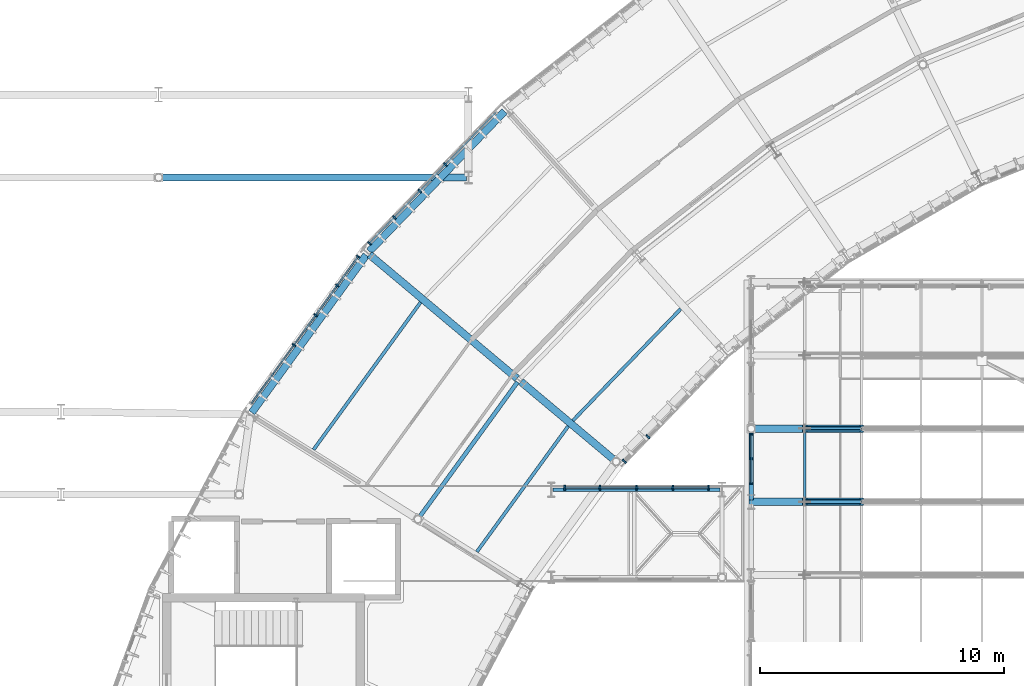
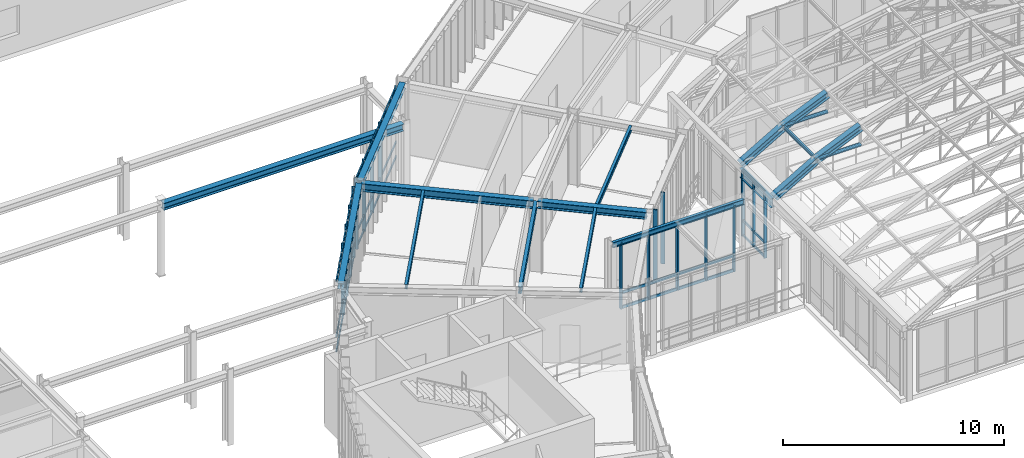
# One storey, part 25 of 148: 32 members, 16 beams, 5 elements without a shape of their own.
"""IFC4 building model written with IfcOpenShell, lengths in metres."""

from ifc_helpers import new_model, si_unit, direction, frame, origin, origin_2d, place, context, subcontext, project, spatial, rectangle, hollow_circle, i_section, extrude, material, layer, layer_set, material_profile, profile_set, type_object, element, aggregate, save


model = new_model("IFC4")

# Units and contexts
model_context = context("Model", 3, precision=1e-05, world=origin(), true_north=direction((0.0, 1.0)))
body_context = subcontext(model_context, "Body", "Model", "MODEL_VIEW")
ifc_project = project(units=[si_unit("LENGTHUNIT", "METRE"), si_unit("AREAUNIT", "SQUARE_METRE"), si_unit("VOLUMEUNIT", "CUBIC_METRE"), si_unit("PLANEANGLEUNIT", "RADIAN"), si_unit("MASSUNIT", "GRAM", prefix="KILO"), si_unit("THERMODYNAMICTEMPERATUREUNIT", "KELVIN"), si_unit("POWERUNIT", "WATT")], contexts=[model_context])

# Site, building, storey
site_placement = place(None, origin())
site = spatial("IfcSite", under=ifc_project, at=site_placement, CompositionType="ELEMENT")
building_placement = place(site_placement, origin())
building = spatial("IfcBuilding", under=site, at=building_placement, Name="Solvatero Civic Police Headquarters", CompositionType="ELEMENT")
storey_placement = place(building_placement, frame((0.0, 0.0, 5.10009765625)))
storey = spatial("IfcBuildingStorey", under=building, at=storey_placement, Name="L01", CompositionType="ELEMENT", Elevation=5.10009765625)

# Beams
ifc_material_1 = material(Name="Steel S355", Category="steel")
ifc_material_profile_1 = material_profile(ifc_material_1, i_section(OverallWidth=0.300048828125, OverallDepth=0.31005859375, WebThickness=0.009033203125, FlangeThickness=0.015380859375, FilletRadius=0.027099609375, at=origin_2d()), Name="HEA 320")
ifc_profile_set_1 = profile_set([ifc_material_profile_1], Name="Steel S355")
beam_type_1 = type_object("IfcBeamType", Name="BM-ST-HEA320", PredefinedType="SPANDREL", material=ifc_profile_set_1)
beam_1_placement = place(storey_placement, frame((54.68603515625, 69.513427734375, 3.824951171875), z_axis=(-0.694657827695, -0.719340324479, 0.0), x_axis=(0.719340324479, -0.694657827695, 0.0)))
element("IfcBeam", 1, at=beam_1_placement, inside=storey, type_object=beam_type_1, Name="Perimeter / radial spandrel beam BM-R2-L01-ARC-COUT-B07", PredefinedType="SPANDREL", context=body_context, shape_type="SweptSolid", body=[
    extrude(i_section(OverallWidth=0.300048828125, OverallDepth=0.31005859375, WebThickness=0.009033203125, FlangeThickness=0.015380859375, FilletRadius=0.027099609375, at=origin_2d()), origin(), (0.0, 0.0, 1.0), 7.982177734375),
])
beam_2_placement = place(storey_placement, frame((49.0126953125, 63.61865234375, 3.824951171875), z_axis=(-0.587775184232, -0.809024309153, 0.0), x_axis=(0.809024309153, -0.587775184232, 0.0)))
element("IfcBeam", 2, at=beam_2_placement, inside=storey, type_object=beam_type_1, Name="Perimeter / radial spandrel beam BM-R2-L01-ARC-COUT-B08", PredefinedType="SPANDREL", context=body_context, shape_type="SweptSolid", body=[
    extrude(i_section(OverallWidth=0.300048828125, OverallDepth=0.31005859375, WebThickness=0.009033203125, FlangeThickness=0.015380859375, FilletRadius=0.027099609375, at=origin_2d()), origin(), (0.0, 0.0, 1.0), 7.982421875),
])
ifc_material_profile_2 = material_profile(ifc_material_1, i_section(OverallWidth=0.300048828125, OverallDepth=0.389892578125, WebThickness=0.010986328125, FlangeThickness=0.01904296875, FilletRadius=0.027099609375, at=origin_2d()), Name="HEA 400")
ifc_profile_set_2 = profile_set([ifc_material_profile_2], Name="Steel S355")
beam_type_2 = type_object("IfcBeamType", Name="BM-ST-HEA400", PredefinedType="BEAM", material=ifc_profile_set_2)
beam_3_placement = place(storey_placement, frame((40.580078125, 66.800048828125, 3.7548828125), z_axis=(1.0, 0.0, 0.0), x_axis=(0.0, 1.0, 0.0)))
element("IfcBeam", 3, at=beam_3_placement, inside=storey, type_object=beam_type_2, Name="Primary girder BM-R2-L01-SB2-S-2", PredefinedType="BEAM", context=body_context, shape_type="SweptSolid", body=[
    extrude(i_section(OverallWidth=0.300048828125, OverallDepth=0.389892578125, WebThickness=0.010986328125, FlangeThickness=0.01904296875, FilletRadius=0.027099609375, at=origin_2d()), origin(), (0.0, 0.0, 1.0), 12.5400390625),
])
beam_4_placement = place(storey_placement, frame((59.183349609375, 55.214599609375, 3.784912109375), z_axis=(-0.766035646312, 0.642798093167, 0.0), x_axis=(-0.642798093167, -0.766035646312, 0.0)))
element("IfcBeam", 4, at=beam_4_placement, inside=storey, type_object=beam_type_2, Name="Primary girder BM-R2-L01-ARC-RAD1-S07", PredefinedType="BEAM", context=body_context, shape_type="SweptSolid", body=[
    extrude(i_section(OverallWidth=0.300048828125, OverallDepth=0.389892578125, WebThickness=0.010986328125, FlangeThickness=0.01904296875, FilletRadius=0.027099609375, at=origin_2d()), origin(), (0.0, 0.0, 1.0), 5.000244140625),
])
ifc_material_profile_3 = material_profile(ifc_material_1, i_section(OverallWidth=0.300048828125, OverallDepth=0.43994140625, WebThickness=0.011474609375, FlangeThickness=0.02099609375, FilletRadius=0.027099609375, at=origin_2d()), Name="HEA 450")
ifc_profile_set_3 = profile_set([ifc_material_profile_3], Name="Steel S355")
beam_type_3 = type_object("IfcBeamType", Name="BM-ST-HEA450", PredefinedType="BEAM", material=ifc_profile_set_3)
beam_5_placement = place(storey_placement, frame((55.199951171875, 58.55712890625, 3.760009765625), z_axis=(-0.766038381489, 0.642794833587, 0.0), x_axis=(-0.642794833587, -0.766038381489, 0.0)))
element("IfcBeam", 5, at=beam_5_placement, inside=storey, type_object=beam_type_3, Name="Primary girder BM-R2-L01-ARC-RAD2-S07", PredefinedType="BEAM", context=body_context, shape_type="SweptSolid", body=[
    extrude(i_section(OverallWidth=0.300048828125, OverallDepth=0.43994140625, WebThickness=0.011474609375, FlangeThickness=0.02099609375, FilletRadius=0.027099609375, at=origin_2d()), origin(), (0.0, 0.0, 1.0), 7.900146484375),
])
ifc_material_profile_4 = material_profile(ifc_material_1, i_section(OverallWidth=0.300048828125, OverallDepth=0.360107421875, WebThickness=0.012451171875, FlangeThickness=0.0224609375, FilletRadius=0.027099609375, at=origin_2d()), Name="HEB 360")
ifc_profile_set_4 = profile_set([ifc_material_profile_4], Name="Steel S355")
beam_type_4 = type_object("IfcBeamType", Name="BM-ST-HEB360", PredefinedType="BEAM", material=ifc_profile_set_4)
beam_6_placement = place(storey_placement, frame((64.800048828125, 53.5, 3.806884765625), z_axis=(0.865485501766, 0.0, 0.500933973926), x_axis=(0.0, 1.0, 0.0)))
element("IfcBeam", 6, at=beam_6_placement, inside=storey, type_object=beam_type_4, Name="VLT2 Tied-Arch Vault Top Chord F5.1", PredefinedType="BEAM", context=body_context, shape_type="SweptSolid", body=[
    extrude(i_section(OverallWidth=0.300048828125, OverallDepth=0.360107421875, WebThickness=0.012451171875, FlangeThickness=0.0224609375, FilletRadius=0.027099609375, at=origin_2d()), origin(), (0.0, 0.0, 1.0), 2.540283203125),
])
beam_7_placement = place(storey_placement, frame((66.99853515625, 53.5, 5.101806640625), z_axis=(0.917917593787, 0.0, 0.396771081377), x_axis=(0.0, 1.0, 0.0)))
element("IfcBeam", 7, at=beam_7_placement, inside=storey, type_object=beam_type_4, Name="VLT2 Tied-Arch Vault Top Chord F5.2", PredefinedType="BEAM", context=body_context, shape_type="SweptSolid", body=[
    extrude(i_section(OverallWidth=0.300048828125, OverallDepth=0.360107421875, WebThickness=0.012451171875, FlangeThickness=0.0224609375, FilletRadius=0.027099609375, at=origin_2d()), origin(), (0.0, 0.0, 1.0), 2.5400390625),
])
beam_8_placement = place(storey_placement, frame((64.800048828125, 56.5, 3.806884765625), z_axis=(0.865485501766, 0.0, 0.500933973926), x_axis=(0.0, 1.0, 0.0)))
element("IfcBeam", 8, at=beam_8_placement, inside=storey, type_object=beam_type_4, Name="VLT2 Tied-Arch Vault Top Chord F6.1", PredefinedType="BEAM", context=body_context, shape_type="SweptSolid", body=[
    extrude(i_section(OverallWidth=0.300048828125, OverallDepth=0.360107421875, WebThickness=0.012451171875, FlangeThickness=0.0224609375, FilletRadius=0.027099609375, at=origin_2d()), origin(), (0.0, 0.0, 1.0), 2.540283203125),
])
beam_9_placement = place(storey_placement, frame((66.99853515625, 56.5, 5.101806640625), z_axis=(0.917917593787, 0.0, 0.396771081377), x_axis=(0.0, 1.0, 0.0)))
element("IfcBeam", 9, at=beam_9_placement, inside=storey, type_object=beam_type_4, Name="VLT2 Tied-Arch Vault Top Chord F6.2", PredefinedType="BEAM", context=body_context, shape_type="SweptSolid", body=[
    extrude(i_section(OverallWidth=0.300048828125, OverallDepth=0.360107421875, WebThickness=0.012451171875, FlangeThickness=0.0224609375, FilletRadius=0.027099609375, at=origin_2d()), origin(), (0.0, 0.0, 1.0), 2.5400390625),
])
ifc_material_profile_5 = material_profile(ifc_material_1, i_section(OverallWidth=0.091064453125, OverallDepth=0.179931640625, WebThickness=0.00537109375, FlangeThickness=0.008056640625, FilletRadius=0.009033203125, at=origin_2d()), Name="IPE 180")
ifc_profile_set_5 = profile_set([ifc_material_profile_5], Name="Steel S355")
beam_type_5 = type_object("IfcBeamType", Name="BM-ST-IPE180", PredefinedType="JOIST", material=ifc_profile_set_5)
beam_10_placement = place(storey_placement, frame((66.99853515625, 53.657958984375, 5.172119140625), z_axis=(0.0, 1.0, 0.0), x_axis=(-1.0, 0.0, 0.0)))
element("IfcBeam", 10, at=beam_10_placement, inside=storey, type_object=beam_type_5, Name="VLT2 Vault Roof Purlin B5.1", PredefinedType="JOIST", context=body_context, shape_type="SweptSolid", body=[
    extrude(i_section(OverallWidth=0.091064453125, OverallDepth=0.179931640625, WebThickness=0.00537109375, FlangeThickness=0.008056640625, FilletRadius=0.009033203125, at=origin_2d()), origin(), (0.0, 0.0, 1.0), 2.68408203125),
])
ifc_material_profile_6 = material_profile(ifc_material_1, i_section(OverallWidth=0.135009765625, OverallDepth=0.27001953125, WebThickness=0.006591796875, FlangeThickness=0.01025390625, FilletRadius=0.014892578125, at=origin_2d()), Name="IPE 270")
ifc_profile_set_6 = profile_set([ifc_material_profile_6], Name="Steel S355")
beam_type_6 = type_object("IfcBeamType", Name="BM-ST-IPE270", PredefinedType="BEAM", material=ifc_profile_set_6)
for number, where, z_axis, x_axis, name in (
    (11, (61.911376953125, 61.414306640625, 3.844970703125), (-0.694655397836, -0.719342670956, 0.0), (0.719342670956, -0.694655397836, 0.0), "Composite floor beam BM-R2-L01-ARC-CS1-B07"),
    (12, (57.294921875, 56.603759765625, 3.844970703125), (-0.587786418719, -0.809016146915, 0.0), (0.809016146915, -0.587786418719, 0.0), "Composite floor beam BM-R2-L01-ARC-CS1-B08"),
):
    element("IfcBeam", number, at=place(storey_placement, frame(where, z_axis=z_axis, x_axis=x_axis)), inside=storey, type_object=beam_type_6, Name=name, PredefinedType="BEAM", context=body_context, shape_type="SweptSolid", body=[
        extrude(i_section(OverallWidth=0.135009765625, OverallDepth=0.27001953125, WebThickness=0.006591796875, FlangeThickness=0.01025390625, FilletRadius=0.014892578125, at=origin_2d()), origin(), (0.0, 0.0, 1.0), 6.36865234375),
    ])
beam_11_placement = place(storey_placement, frame((51.2431640625, 61.681884765625, 3.844970703125), z_axis=(-0.587800506185, -0.809005911554, 0.0), x_axis=(0.809005911554, -0.587800506185, 0.0)))
element("IfcBeam", 13, at=beam_11_placement, inside=storey, type_object=beam_type_6, Name="Composite floor beam BM-R2-L01-ARC-CS2-B08", PredefinedType="BEAM", context=body_context, shape_type="SweptSolid", body=[
    extrude(i_section(OverallWidth=0.135009765625, OverallDepth=0.27001953125, WebThickness=0.006591796875, FlangeThickness=0.01025390625, FilletRadius=0.014892578125, at=origin_2d()), origin(), (0.0, 0.0, 1.0), 7.470947265625),
])
ifc_material_profile_7 = material_profile(ifc_material_1, i_section(OverallWidth=0.14990234375, OverallDepth=0.300048828125, WebThickness=0.007080078125, FlangeThickness=0.0107421875, FilletRadius=0.014892578125, at=origin_2d()), Name="IPE 300")
ifc_profile_set_7 = profile_set([ifc_material_profile_7], Name="Steel S355")
beam_type_7 = type_object("IfcBeamType", Name="BM-ST-IPE300", PredefinedType="BEAM", material=ifc_profile_set_7)
beam_12_placement = place(storey_placement, frame((56.679931640625, 54.0, 3.716796875), z_axis=(1.0, 0.0, 0.0), x_axis=(0.0, 1.0, 0.0)))
element("IfcBeam", 14, at=beam_12_placement, inside=storey, type_object=beam_type_7, Name="Composite floor beam BM-R2-L01-V2LK-N", PredefinedType="BEAM", context=body_context, shape_type="SweptSolid", body=[
    extrude(i_section(OverallWidth=0.14990234375, OverallDepth=0.300048828125, WebThickness=0.007080078125, FlangeThickness=0.0107421875, FilletRadius=0.014892578125, at=origin_2d()), origin(), (0.0, 0.0, 1.0), 6.840087890625),
])
ifc_material_profile_8 = material_profile(ifc_material_1, i_section(OverallWidth=0.169921875, OverallDepth=0.360107421875, WebThickness=0.008056640625, FlangeThickness=0.0126953125, FilletRadius=0.01806640625, at=origin_2d()), Name="IPE 360")
ifc_profile_set_8 = profile_set([ifc_material_profile_8], Name="Steel S355")
beam_type_8 = type_object("IfcBeamType", Name="BM-ST-IPE360", PredefinedType="BEAM", material=ifc_profile_set_8)
beam_13_placement = place(storey_placement, frame((55.2177734375, 58.412109375, 3.7998046875), z_axis=(-0.587794552249, -0.809010237479, 0.0), x_axis=(0.809010237479, -0.587794552249, 0.0)))
element("IfcBeam", 15, at=beam_13_placement, inside=storey, type_object=beam_type_8, Name="Composite floor beam BM-R2-L01-ARC-CMID-B08", PredefinedType="BEAM", context=body_context, shape_type="SweptSolid", body=[
    extrude(i_section(OverallWidth=0.169921875, OverallDepth=0.360107421875, WebThickness=0.008056640625, FlangeThickness=0.0126953125, FilletRadius=0.01806640625, at=origin_2d()), origin(), (0.0, 0.0, 1.0), 6.8525390625),
])
ifc_material_profile_9 = material_profile(ifc_material_1, i_section(OverallWidth=0.199951171875, OverallDepth=0.5, WebThickness=0.01025390625, FlangeThickness=0.01611328125, FilletRadius=0.02099609375, at=origin_2d()), Name="IPE 500")
ifc_profile_set_9 = profile_set([ifc_material_profile_9], Name="Steel S355")
beam_type_9 = type_object("IfcBeamType", Name="BM-ST-IPE500", PredefinedType="BEAM", material=ifc_profile_set_9)
beam_14_placement = place(storey_placement, frame((64.800048828125, 53.580078125, 3.429931640625), z_axis=(0.0, 1.0, 0.0), x_axis=(-1.0, 0.0, 0.0)))
element("IfcBeam", 16, at=beam_14_placement, inside=storey, type_object=beam_type_9, Name="Primary girder BM-R2-VLT2-SPR-W-B5", PredefinedType="BEAM", context=body_context, shape_type="SweptSolid", body=[
    extrude(i_section(OverallWidth=0.199951171875, OverallDepth=0.5, WebThickness=0.01025390625, FlangeThickness=0.01611328125, FilletRadius=0.02099609375, at=origin_2d()), origin(), (0.0, 0.0, 1.0), 2.83984375),
])

# Curtain wall, members
ifc_material_2 = material(Name="Anodized Bronze Aluminium", Category="aluminium")
ifc_layer_1 = layer(ifc_material_2, 0.179931640625)
ifc_layer_set_1 = layer_set([ifc_layer_1], Name="Anodized Bronze Aluminium")
curtain_wall_type_1 = type_object("IfcCurtainWallType", Name="CW-ARC-OUT", PredefinedType="USERDEFINED", material=ifc_layer_set_1)
curtain_wall_1_placement = place(storey_placement, origin())
curtain_wall_1 = element("IfcCurtainWall", 17, at=curtain_wall_1_placement, inside=storey, type_object=curtain_wall_type_1, Name="Curtain Wall CW-R2-L01-ARC-OUT-B08", ObjectType="UNITISED", PredefinedType="USERDEFINED")
ifc_material_profile_10 = material_profile(ifc_material_2, rectangle(XDim=0.06005859375, YDim=0.159912109375, at=origin_2d()), Name="ALU MULLION 60x160")
ifc_profile_set_10 = profile_set([ifc_material_profile_10], Name="Anodized Bronze Aluminium")
member_type_1 = type_object("IfcMemberType", Name="CWM-180x70", PredefinedType="MULLION", material=ifc_profile_set_10)
member_1_placement = place(storey_placement, frame((48.684814453125, 63.5576171875, 0.0), z_axis=(0.0, 0.0, 1.0), x_axis=(-0.587785252292, -0.809016994375, 0.0)))
member_1 = element("IfcMember", 18, at=member_1_placement, type_object=member_type_1, Name="CW-R2-L01-ARC-OUT-B08 Mullion 1", PredefinedType="MULLION", context=body_context, shape_type="SweptSolid", body=[
    extrude(rectangle(XDim=0.06005859375, YDim=0.159912109375, at=origin_2d()), origin(), (0.0, 0.0, 1.0), 3.93994140625),
])
member_2_placement = place(storey_placement, frame((47.822998046875, 62.37158203125, 0.0), z_axis=(0.0, 0.0, 1.0), x_axis=(-0.587785252292, -0.809016994375, 0.0)))
member_2 = element("IfcMember", 19, at=member_2_placement, type_object=member_type_1, Name="CW-R2-L01-ARC-OUT-B08 Mullion 2", PredefinedType="MULLION", context=body_context, shape_type="SweptSolid", body=[
    extrude(rectangle(XDim=0.06005859375, YDim=0.159912109375, at=origin_2d()), origin(), (0.0, 0.0, 1.0), 3.93994140625),
])
member_3_placement = place(storey_placement, frame((46.93798828125, 61.153076171875, 0.0), z_axis=(0.0, 0.0, 1.0), x_axis=(-0.587785252292, -0.809016994375, 0.0)))
member_3 = element("IfcMember", 20, at=member_3_placement, type_object=member_type_1, Name="CW-R2-L01-ARC-OUT-B08 Mullion 3", PredefinedType="MULLION", context=body_context, shape_type="SweptSolid", body=[
    extrude(rectangle(XDim=0.06005859375, YDim=0.159912109375, at=origin_2d()), origin(), (0.0, 0.0, 1.0), 3.93994140625),
])
member_4_placement = place(storey_placement, frame((46.052490234375, 59.934814453125, 0.0), z_axis=(0.0, 0.0, 1.0), x_axis=(-0.587785252292, -0.809016994375, 0.0)))
member_4 = element("IfcMember", 21, at=member_4_placement, type_object=member_type_1, Name="CW-R2-L01-ARC-OUT-B08 Mullion 4", PredefinedType="MULLION", context=body_context, shape_type="SweptSolid", body=[
    extrude(rectangle(XDim=0.06005859375, YDim=0.159912109375, at=origin_2d()), origin(), (0.0, 0.0, 1.0), 3.93994140625),
])

ifc_layer_2 = layer(ifc_material_2, 0.179931640625)
ifc_layer_set_2 = layer_set([ifc_layer_2], Name="Anodized Bronze Aluminium")
curtain_wall_type_2 = type_object("IfcCurtainWallType", Name="CW-HAL-GLZ", PredefinedType="USERDEFINED", material=ifc_layer_set_2)
curtain_wall_2_placement = place(storey_placement, origin())
curtain_wall_2 = element("IfcCurtainWall", 22, at=curtain_wall_2_placement, inside=storey, type_object=curtain_wall_type_2, Name="Curtain Wall CW-R2-L01-V2-W-B5", ObjectType="UNITISED", PredefinedType="USERDEFINED")
member_5_placement = place(storey_placement, frame((64.800048828125, 54.25, 0.0), z_axis=(0.0, 0.0, 1.0), x_axis=(0.0, 1.0, 0.0)))
member_5 = element("IfcMember", 23, at=member_5_placement, type_object=member_type_1, Name="CW-R2-L01-V2-W-B5 Mullion 1", PredefinedType="MULLION", context=body_context, shape_type="SweptSolid", body=[
    extrude(rectangle(XDim=0.06005859375, YDim=0.159912109375, at=origin_2d()), origin(), (0.0, 0.0, 1.0), 3.659912109375),
])
member_6_placement = place(storey_placement, frame((64.800048828125, 55.25390625, 0.0), z_axis=(0.0, 0.0, 1.0), x_axis=(0.0, 1.0, 0.0)))
member_6 = element("IfcMember", 24, at=member_6_placement, type_object=member_type_1, Name="CW-R2-L01-V2-W-B5 Mullion 2", PredefinedType="MULLION", context=body_context, shape_type="SweptSolid", body=[
    extrude(rectangle(XDim=0.06005859375, YDim=0.159912109375, at=origin_2d()), origin(), (0.0, 0.0, 1.0), 3.659912109375),
])
member_7_placement = place(storey_placement, frame((64.800048828125, 56.258056640625, 0.0), z_axis=(0.0, 0.0, 1.0), x_axis=(0.0, 1.0, 0.0)))
member_7 = element("IfcMember", 25, at=member_7_placement, type_object=member_type_1, Name="CW-R2-L01-V2-W-B5 Mullion 3", PredefinedType="MULLION", context=body_context, shape_type="SweptSolid", body=[
    extrude(rectangle(XDim=0.06005859375, YDim=0.159912109375, at=origin_2d()), origin(), (0.0, 0.0, 1.0), 3.659912109375),
])

curtain_wall_3_placement = place(storey_placement, origin())
curtain_wall_3 = element("IfcCurtainWall", 26, at=curtain_wall_3_placement, inside=storey, type_object=curtain_wall_type_1, Name="Curtain Wall CW-R2-L01-ARC-OUT-B07", ObjectType="UNITISED", PredefinedType="USERDEFINED")
ifc_material_profile_11 = material_profile(ifc_material_2, rectangle(XDim=0.06494140625, YDim=0.179931640625, at=origin_2d()), Name="ALU MULLION 65x180")
ifc_profile_set_11 = profile_set([ifc_material_profile_11], Name="Anodized Bronze Aluminium")
member_type_2 = type_object("IfcMemberType", Name="CWM-200x75", PredefinedType="MULLION", material=ifc_profile_set_11)
member_8_placement = place(storey_placement, frame((52.259033203125, 67.33056640625, 0.0), z_axis=(0.0, 0.0, 1.0), x_axis=(-0.694645815505, -0.719351924305, 0.0)))
member_8 = element("IfcMember", 27, at=member_8_placement, type_object=member_type_2, Name="CW-R2-L01-ARC-OUT-B07 Mullion 3", PredefinedType="MULLION", context=body_context, shape_type="SweptSolid", body=[
    extrude(rectangle(XDim=0.06494140625, YDim=0.179931640625, at=origin_2d()), origin(), (0.0, 0.0, 1.0), 3.93994140625),
])
member_9_placement = place(storey_placement, frame((51.21142578125, 66.245849609375, 0.0), z_axis=(0.0, 0.0, 1.0), x_axis=(-0.694645815505, -0.719351924305, 0.0)))
member_9 = element("IfcMember", 28, at=member_9_placement, type_object=member_type_2, Name="CW-R2-L01-ARC-OUT-B07 Mullion 4", PredefinedType="MULLION", context=body_context, shape_type="SweptSolid", body=[
    extrude(rectangle(XDim=0.06494140625, YDim=0.179931640625, at=origin_2d()), origin(), (0.0, 0.0, 1.0), 3.93994140625),
])
member_10_placement = place(storey_placement, frame((50.163818359375, 65.160888671875, 0.0), z_axis=(0.0, 0.0, 1.0), x_axis=(-0.694645815505, -0.719351924305, 0.0)))
member_10 = element("IfcMember", 29, at=member_10_placement, type_object=member_type_2, Name="CW-R2-L01-ARC-OUT-B07 Mullion 5", PredefinedType="MULLION", context=body_context, shape_type="SweptSolid", body=[
    extrude(rectangle(XDim=0.06494140625, YDim=0.179931640625, at=origin_2d()), origin(), (0.0, 0.0, 1.0), 3.93994140625),
])
member_11_placement = place(storey_placement, frame((49.14404296875, 64.10498046875, 0.0), z_axis=(0.0, 0.0, 1.0), x_axis=(-0.694645815505, -0.719351924305, 0.0)))
member_11 = element("IfcMember", 30, at=member_11_placement, type_object=member_type_2, Name="CW-R2-L01-ARC-OUT-B07 Mullion 6", PredefinedType="MULLION", context=body_context, shape_type="SweptSolid", body=[
    extrude(rectangle(XDim=0.06494140625, YDim=0.179931640625, at=origin_2d()), origin(), (0.0, 0.0, 1.0), 3.93994140625),
])

ifc_layer_3 = layer(ifc_material_2, 0.179931640625)
ifc_layer_set_3 = layer_set([ifc_layer_3], Name="Anodized Bronze Aluminium")
curtain_wall_type_3 = type_object("IfcCurtainWallType", Name="CW-ARC-IN", PredefinedType="USERDEFINED", material=ifc_layer_set_3)
curtain_wall_4_placement = place(storey_placement, origin())
curtain_wall_4 = element("IfcCurtainWall", 31, at=curtain_wall_4_placement, inside=storey, type_object=curtain_wall_type_3, Name="Curtain Wall CW-R2-L01-ARC-IN-B07", ObjectType="UNITISED", PredefinedType="USERDEFINED")
ifc_material_profile_12 = material_profile(ifc_material_2, rectangle(XDim=0.070068359375, YDim=0.199951171875, at=origin_2d()), Name="ALU MULLION 70x200")
ifc_profile_set_12 = profile_set([ifc_material_profile_12], Name="Anodized Bronze Aluminium")
member_type_3 = type_object("IfcMemberType", Name="CWM-220x80", PredefinedType="MULLION", material=ifc_profile_set_12)
member_12_placement = place(storey_placement, frame((60.568115234375, 56.1748046875, 0.0), z_axis=(0.0, 0.0, 1.0), x_axis=(-0.694658370459, -0.719339800339, 0.0)))
member_12 = element("IfcMember", 32, at=member_12_placement, type_object=member_type_3, Name="CW-R2-L01-ARC-IN-B07 Mullion 4", PredefinedType="MULLION", context=body_context, shape_type="SweptSolid", body=[
    extrude(rectangle(XDim=0.070068359375, YDim=0.199951171875, at=origin_2d()), origin(), (0.0, 0.0, 1.0), 3.93994140625),
])
member_13_placement = place(storey_placement, frame((59.593017578125, 55.1650390625, 0.0), z_axis=(0.0, 0.0, 1.0), x_axis=(-0.694658370459, -0.719339800339, 0.0)))
member_13 = element("IfcMember", 33, at=member_13_placement, type_object=member_type_3, Name="CW-R2-L01-ARC-IN-B07 Mullion 5", PredefinedType="MULLION", context=body_context, shape_type="SweptSolid", body=[
    extrude(rectangle(XDim=0.070068359375, YDim=0.199951171875, at=origin_2d()), origin(), (0.0, 0.0, 1.0), 3.93994140625),
])
aggregate(curtain_wall_4, [member_12, member_13])

ifc_layer_4 = layer(ifc_material_2, 0.179931640625)
ifc_layer_set_4 = layer_set([ifc_layer_4], Name="Anodized Bronze Aluminium")
curtain_wall_type_4 = type_object("IfcCurtainWallType", Name="CW-SB-GLZ", PredefinedType="USERDEFINED", material=ifc_layer_set_4)
curtain_wall_5_placement = place(storey_placement, origin())
curtain_wall_5 = element("IfcCurtainWall", 34, at=curtain_wall_5_placement, inside=storey, type_object=curtain_wall_type_4, Name="Curtain Wall CW-R2-L01-V2LK-N", ObjectType="UNITISED", PredefinedType="USERDEFINED")
member_14_placement = place(storey_placement, frame((57.14990234375, 54.080078125, 0.0), z_axis=(0.0, 0.0, 1.0), x_axis=(1.0, 0.0, 0.0)))
member_14 = element("IfcMember", 35, at=member_14_placement, type_object=member_type_3, Name="CW-R2-L01-V2LK-N Mullion 1", PredefinedType="MULLION", context=body_context, shape_type="SweptSolid", body=[
    extrude(rectangle(XDim=0.070068359375, YDim=0.199951171875, at=origin_2d()), origin(), (0.0, 0.0, 1.0), 3.659912109375),
])
member_15_placement = place(storey_placement, frame((58.60498046875, 54.080078125, 0.0), z_axis=(0.0, 0.0, 1.0), x_axis=(1.0, 0.0, 0.0)))
member_15 = element("IfcMember", 36, at=member_15_placement, type_object=member_type_3, Name="CW-R2-L01-V2LK-N Mullion 2", PredefinedType="MULLION", context=body_context, shape_type="SweptSolid", body=[
    extrude(rectangle(XDim=0.070068359375, YDim=0.199951171875, at=origin_2d()), origin(), (0.0, 0.0, 1.0), 3.659912109375),
])
member_16_placement = place(storey_placement, frame((60.10009765625, 54.080078125, 0.0), z_axis=(0.0, 0.0, 1.0), x_axis=(1.0, 0.0, 0.0)))
member_16 = element("IfcMember", 37, at=member_16_placement, type_object=member_type_3, Name="CW-R2-L01-V2LK-N Mullion 3", PredefinedType="MULLION", context=body_context, shape_type="SweptSolid", body=[
    extrude(rectangle(XDim=0.070068359375, YDim=0.199951171875, at=origin_2d()), origin(), (0.0, 0.0, 1.0), 3.659912109375),
])
member_17_placement = place(storey_placement, frame((61.594970703125, 54.080078125, 0.0), z_axis=(0.0, 0.0, 1.0), x_axis=(1.0, 0.0, 0.0)))
member_17 = element("IfcMember", 38, at=member_17_placement, type_object=member_type_3, Name="CW-R2-L01-V2LK-N Mullion 4", PredefinedType="MULLION", context=body_context, shape_type="SweptSolid", body=[
    extrude(rectangle(XDim=0.070068359375, YDim=0.199951171875, at=origin_2d()), origin(), (0.0, 0.0, 1.0), 3.659912109375),
])
member_18_placement = place(storey_placement, frame((63.050048828125, 54.080078125, 0.0), z_axis=(0.0, 0.0, 1.0), x_axis=(1.0, 0.0, 0.0)))
member_18 = element("IfcMember", 39, at=member_18_placement, type_object=member_type_3, Name="CW-R2-L01-V2LK-N Mullion 5", PredefinedType="MULLION", context=body_context, shape_type="SweptSolid", body=[
    extrude(rectangle(XDim=0.070068359375, YDim=0.199951171875, at=origin_2d()), origin(), (0.0, 0.0, 1.0), 3.659912109375),
])
ifc_material_profile_13 = material_profile(ifc_material_2, rectangle(XDim=0.070068359375, YDim=0.159912109375, at=origin_2d()), Name="ALU TRANSOM 70x160")
ifc_profile_set_13 = profile_set([ifc_material_profile_13], Name="Anodized Bronze Aluminium")
member_type_4 = type_object("IfcMemberType", Name="CWT-120x55", PredefinedType="USERDEFINED", material=ifc_profile_set_13)
member_19_placement = place(storey_placement, frame((57.159912109375, 54.080078125, 0.039794921875), z_axis=(1.0, 0.0, 0.0), x_axis=(0.0, 1.0, 0.0)))
member_19 = element("IfcMember", 40, at=member_19_placement, type_object=member_type_4, Name="CW-R2-L01-V2LK-N Transom 1", ObjectType="TRANSOM", PredefinedType="USERDEFINED", context=body_context, shape_type="SweptSolid", body=[
    extrude(rectangle(XDim=0.070068359375, YDim=0.159912109375, at=origin_2d()), origin(), (0.0, 0.0, 1.0), 5.880126953125),
])
member_20_placement = place(storey_placement, frame((57.159912109375, 54.080078125, 0.849853515625), z_axis=(1.0, 0.0, 0.0), x_axis=(0.0, 1.0, 0.0)))
member_20 = element("IfcMember", 41, at=member_20_placement, type_object=member_type_4, Name="CW-R2-L01-V2LK-N Transom 2", ObjectType="TRANSOM", PredefinedType="USERDEFINED", context=body_context, shape_type="SweptSolid", body=[
    extrude(rectangle(XDim=0.070068359375, YDim=0.159912109375, at=origin_2d()), origin(), (0.0, 0.0, 1.0), 5.880126953125),
])
member_21_placement = place(storey_placement, frame((57.159912109375, 54.080078125, 3.619873046875), z_axis=(1.0, 0.0, 0.0), x_axis=(0.0, 1.0, 0.0)))
member_21 = element("IfcMember", 42, at=member_21_placement, type_object=member_type_4, Name="CW-R2-L01-V2LK-N Transom 3", ObjectType="TRANSOM", PredefinedType="USERDEFINED", context=body_context, shape_type="SweptSolid", body=[
    extrude(rectangle(XDim=0.070068359375, YDim=0.159912109375, at=origin_2d()), origin(), (0.0, 0.0, 1.0), 5.880126953125),
])
aggregate(curtain_wall_5, [member_14, member_15, member_16, member_17, member_18, member_19, member_20, member_21])

# Member
ifc_material_profile_14 = material_profile(ifc_material_2, rectangle(XDim=0.06005859375, YDim=0.110107421875, at=origin_2d()), Name="ALU TRANSOM 60x110")
ifc_profile_set_14 = profile_set([ifc_material_profile_14], Name="Anodized Bronze Aluminium")
member_type_5 = type_object("IfcMemberType", Name="CWT-140x60", PredefinedType="USERDEFINED", material=ifc_profile_set_14)
member_22_placement = place(storey_placement, frame((48.678955078125, 63.549560546875, 0.039794921875), z_axis=(-0.587786754996, -0.809015902595, 0.0), x_axis=(0.809015902595, -0.587786754996, 0.0)))
member_22 = element("IfcMember", 43, at=member_22_placement, type_object=member_type_5, Name="CW-R2-L01-ARC-OUT-B08 Transom 1", ObjectType="TRANSOM", PredefinedType="USERDEFINED", context=body_context, shape_type="SweptSolid", body=[
    extrude(rectangle(XDim=0.06005859375, YDim=0.110107421875, at=origin_2d()), origin(), (0.0, 0.0, 1.0), 7.430419921875),
])

member_23_placement = place(storey_placement, frame((48.678955078125, 63.549560546875, 0.849853515625), z_axis=(-0.587786754996, -0.809015902595, 0.0), x_axis=(0.809015902595, -0.587786754996, 0.0)))
member_23 = element("IfcMember", 44, at=member_23_placement, type_object=member_type_5, Name="CW-R2-L01-ARC-OUT-B08 Transom 2", ObjectType="TRANSOM", PredefinedType="USERDEFINED", context=body_context, shape_type="SweptSolid", body=[
    extrude(rectangle(XDim=0.06005859375, YDim=0.110107421875, at=origin_2d()), origin(), (0.0, 0.0, 1.0), 7.430419921875),
])

member_24_placement = place(storey_placement, frame((48.678955078125, 63.549560546875, 3.89990234375), z_axis=(-0.587786754996, -0.809015902595, 0.0), x_axis=(0.809015902595, -0.587786754996, 0.0)))
member_24 = element("IfcMember", 45, at=member_24_placement, type_object=member_type_5, Name="CW-R2-L01-ARC-OUT-B08 Transom 3", ObjectType="TRANSOM", PredefinedType="USERDEFINED", context=body_context, shape_type="SweptSolid", body=[
    extrude(rectangle(XDim=0.06005859375, YDim=0.110107421875, at=origin_2d()), origin(), (0.0, 0.0, 1.0), 7.430419921875),
])

aggregate(curtain_wall_1, [member_1, member_2, member_3, member_4, member_22, member_23, member_24])

ifc_material_profile_15 = material_profile(ifc_material_2, rectangle(XDim=0.06005859375, YDim=0.125, at=origin_2d()), Name="ALU TRANSOM 60x125")
ifc_profile_set_15 = profile_set([ifc_material_profile_15], Name="Anodized Bronze Aluminium")
member_type_6 = type_object("IfcMemberType", Name="CWT-160x65", PredefinedType="USERDEFINED", material=ifc_profile_set_15)
member_25_placement = place(storey_placement, frame((54.319580078125, 69.464111328125, 0.039794921875), z_axis=(-0.694678247074, -0.719320605184, 0.0), x_axis=(0.719320605184, -0.694678247074, 0.0)))
member_25 = element("IfcMember", 46, at=member_25_placement, type_object=member_type_6, Name="CW-R2-L01-ARC-OUT-B07 Transom 1", ObjectType="TRANSOM", PredefinedType="USERDEFINED", context=body_context, shape_type="SweptSolid", body=[
    extrude(rectangle(XDim=0.06005859375, YDim=0.125, at=origin_2d()), origin(), (0.0, 0.0, 1.0), 7.4404296875),
])

member_26_placement = place(storey_placement, frame((54.319580078125, 69.464111328125, 0.849853515625), z_axis=(-0.694678247074, -0.719320605184, 0.0), x_axis=(0.719320605184, -0.694678247074, 0.0)))
member_26 = element("IfcMember", 47, at=member_26_placement, type_object=member_type_6, Name="CW-R2-L01-ARC-OUT-B07 Transom 2", ObjectType="TRANSOM", PredefinedType="USERDEFINED", context=body_context, shape_type="SweptSolid", body=[
    extrude(rectangle(XDim=0.06005859375, YDim=0.125, at=origin_2d()), origin(), (0.0, 0.0, 1.0), 7.4404296875),
])

member_27_placement = place(storey_placement, frame((54.319580078125, 69.464111328125, 3.89990234375), z_axis=(-0.694678247074, -0.719320605184, 0.0), x_axis=(0.719320605184, -0.694678247074, 0.0)))
member_27 = element("IfcMember", 48, at=member_27_placement, type_object=member_type_6, Name="CW-R2-L01-ARC-OUT-B07 Transom 3", ObjectType="TRANSOM", PredefinedType="USERDEFINED", context=body_context, shape_type="SweptSolid", body=[
    extrude(rectangle(XDim=0.06005859375, YDim=0.125, at=origin_2d()), origin(), (0.0, 0.0, 1.0), 7.4404296875),
])

aggregate(curtain_wall_3, [member_8, member_9, member_10, member_11, member_25, member_26, member_27])

member_28_placement = place(storey_placement, frame((64.800048828125, 54.260009765625, 0.039794921875), z_axis=(0.0, 1.0, 0.0), x_axis=(-1.0, 0.0, 0.0)))
member_28 = element("IfcMember", 49, at=member_28_placement, type_object=member_type_6, Name="CW-R2-L01-V2-W-B5 Transom 1", ObjectType="TRANSOM", PredefinedType="USERDEFINED", context=body_context, shape_type="SweptSolid", body=[
    extrude(rectangle(XDim=0.06005859375, YDim=0.125, at=origin_2d()), origin(), (0.0, 0.0, 1.0), 1.988037109375),
])

member_29_placement = place(storey_placement, frame((64.800048828125, 54.260009765625, 0.849853515625), z_axis=(0.0, 1.0, 0.0), x_axis=(-1.0, 0.0, 0.0)))
member_29 = element("IfcMember", 50, at=member_29_placement, type_object=member_type_6, Name="CW-R2-L01-V2-W-B5 Transom 2", ObjectType="TRANSOM", PredefinedType="USERDEFINED", context=body_context, shape_type="SweptSolid", body=[
    extrude(rectangle(XDim=0.06005859375, YDim=0.125, at=origin_2d()), origin(), (0.0, 0.0, 1.0), 1.988037109375),
])

member_30_placement = place(storey_placement, frame((64.800048828125, 54.260009765625, 3.619873046875), z_axis=(0.0, 1.0, 0.0), x_axis=(-1.0, 0.0, 0.0)))
member_30 = element("IfcMember", 51, at=member_30_placement, type_object=member_type_6, Name="CW-R2-L01-V2-W-B5 Transom 3", ObjectType="TRANSOM", PredefinedType="USERDEFINED", context=body_context, shape_type="SweptSolid", body=[
    extrude(rectangle(XDim=0.06005859375, YDim=0.125, at=origin_2d()), origin(), (0.0, 0.0, 1.0), 1.988037109375),
])

aggregate(curtain_wall_2, [member_5, member_6, member_7, member_28, member_29, member_30])

# Members
ifc_material_profile_16 = material_profile(ifc_material_1, hollow_circle(Radius=0.096923828125, WallThickness=0.010009765625, at=origin_2d()), Name="CHS 193.7x10.0")
ifc_profile_set_16 = profile_set([ifc_material_profile_16], Name="Steel S355")
member_type_7 = type_object("IfcMemberType", Name="MB-TIE-CHS194", PredefinedType="CHORD", material=ifc_profile_set_16)
for number, where, z_axis, x_axis, name in (
    (52, (66.99853515625, 53.5, 5.13623046875), (1.0, 0.0, 0.0), (0.0, 1.0, 0.0), "VLT2 Vault Horizontal Tie Chord F5.1"),
    (53, (66.99853515625, 56.5, 5.13623046875), (1.0, 0.0, 0.0), (0.0, 1.0, 0.0), "VLT2 Vault Horizontal Tie Chord F6.1"),
):
    element("IfcMember", number, at=place(storey_placement, frame(where, z_axis=z_axis, x_axis=x_axis)), inside=storey, type_object=member_type_7, Name=name, PredefinedType="CHORD", context=body_context, shape_type="SweptSolid", body=[
        extrude(hollow_circle(Radius=0.096923828125, WallThickness=0.010009765625, at=origin_2d()), origin(), (0.0, 0.0, 1.0), 2.33154296875),
    ])

save(model, "model.ifc")
